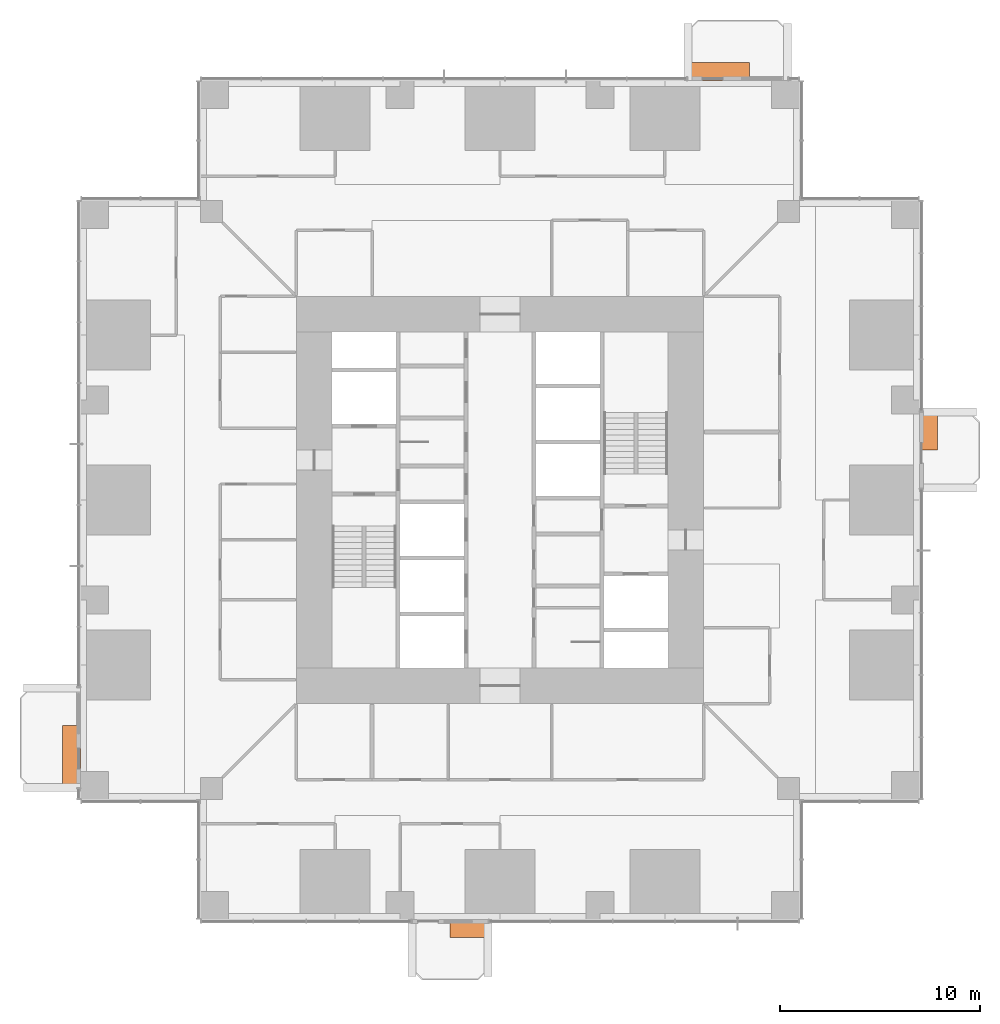
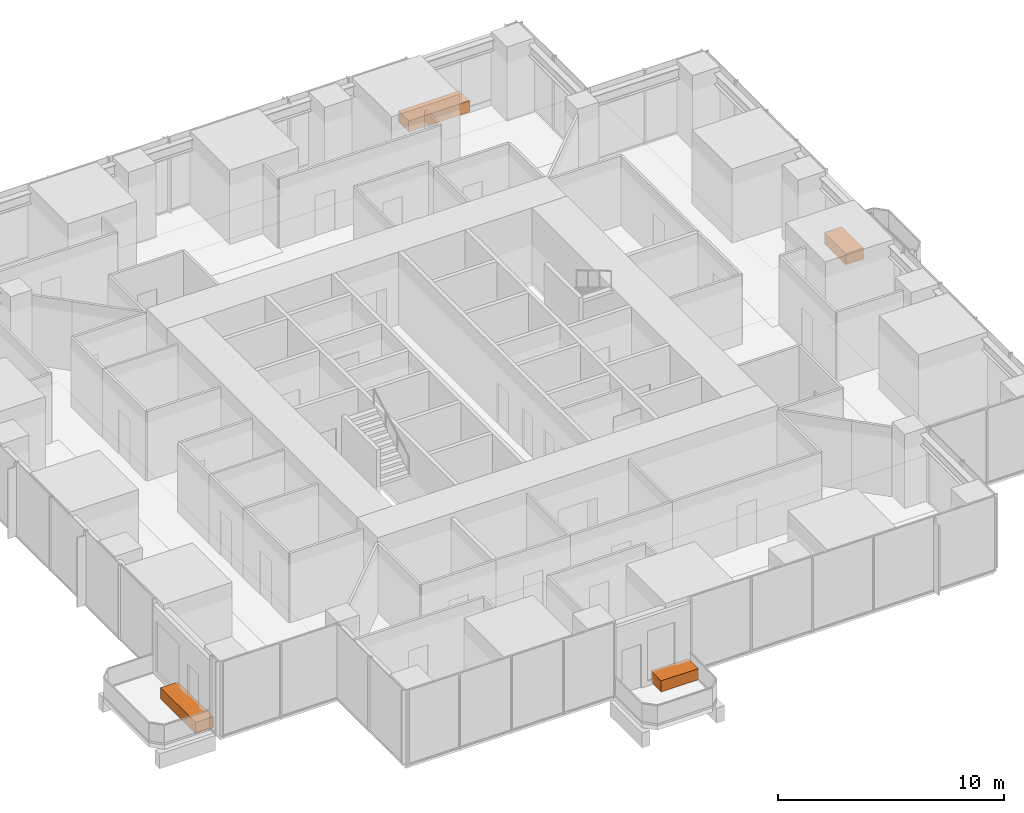
# One storey, part 17 of 17: 4 proxies.
"""IFC4 building model written with IfcOpenShell, lengths in metres."""

from ifc_helpers import new_model, si_unit, direction, frame, origin, origin_2d, place, context, subcontext, project, spatial, rectangle, extrude, element, save


model = new_model("IFC4")

# Units and contexts
model_context = context("Model", 3, precision=1e-05, world=origin(), true_north=direction((0.0, 1.0)))
body_context = subcontext(model_context, "Body", "Model", "MODEL_VIEW")
ifc_project = project(units=[si_unit("LENGTHUNIT", "METRE"), si_unit("AREAUNIT", "SQUARE_METRE"), si_unit("VOLUMEUNIT", "CUBIC_METRE"), si_unit("PLANEANGLEUNIT", "RADIAN"), si_unit("MASSUNIT", "GRAM", prefix="KILO")], contexts=[model_context])

# Site, building, storey
site_placement = place(None, origin())
site = spatial("IfcSite", under=ifc_project, at=site_placement, CompositionType="ELEMENT")
building_placement = place(site_placement, origin())
building = spatial("IfcBuilding", under=site, at=building_placement, Name="Svetlomir Tower", CompositionType="ELEMENT")
storey_placement = place(building_placement, frame((0.0, 0.0, 70.5)))
storey = spatial("IfcBuildingStorey", under=building, at=storey_placement, Name="L16", CompositionType="ELEMENT", Elevation=70.5)

# Proxies
proxy_1_placement = place(storey_placement, frame((19.449951171875, -0.449951171875, 0.0400390625), z_axis=(0.0, 0.0, 1.0), x_axis=(1.0, 0.0, 0.0)))
element("IfcBuildingElementProxy", 1, at=proxy_1_placement, inside=storey, Name="Tree planter S L16", ObjectType="PLANTER", PredefinedType="USERDEFINED", context=body_context, shape_type="SweptSolid", body=[
    extrude(rectangle(XDim=1.89990234375, YDim=0.89990234375, at=origin_2d()), origin(), (0.0, 0.0, 1.0), 0.60009765625),
])
proxy_2_placement = place(storey_placement, frame((42.449951171875, 24.449951171875, 0.0400390625), z_axis=(0.0, 0.0, 1.0), x_axis=(1.0, 0.0, 0.0)))
element("IfcBuildingElementProxy", 2, at=proxy_2_placement, inside=storey, Name="Tree planter E L16", ObjectType="PLANTER", PredefinedType="USERDEFINED", context=body_context, shape_type="SweptSolid", body=[
    extrude(rectangle(XDim=0.89990234375, YDim=1.89990234375, at=origin_2d()), origin(), (0.0, 0.0, 1.0), 0.60009765625),
])
proxy_3_placement = place(storey_placement, frame((31.949951171875, 42.449951171875, 0.0400390625), z_axis=(0.0, 0.0, 1.0), x_axis=(1.0, 0.0, 0.0)))
element("IfcBuildingElementProxy", 3, at=proxy_3_placement, inside=storey, Name="Tree planter N L16", ObjectType="PLANTER", PredefinedType="USERDEFINED", context=body_context, shape_type="SweptSolid", body=[
    extrude(rectangle(XDim=3.10009765625, YDim=0.89990234375, at=origin_2d()), origin(), (0.0, 0.0, 1.0), 0.60009765625),
])
proxy_4_placement = place(storey_placement, frame((-0.449951171875, 8.14990234375, 0.0400390625), z_axis=(0.0, 0.0, 1.0), x_axis=(1.0, 0.0, 0.0)))
element("IfcBuildingElementProxy", 4, at=proxy_4_placement, inside=storey, Name="Tree planter W L16", ObjectType="PLANTER", PredefinedType="USERDEFINED", context=body_context, shape_type="SweptSolid", body=[
    extrude(rectangle(XDim=0.89990234375, YDim=3.10009765625, at=origin_2d()), origin(), (0.0, 0.0, 1.0), 0.60009765625),
])

save(model, "model.ifc")
